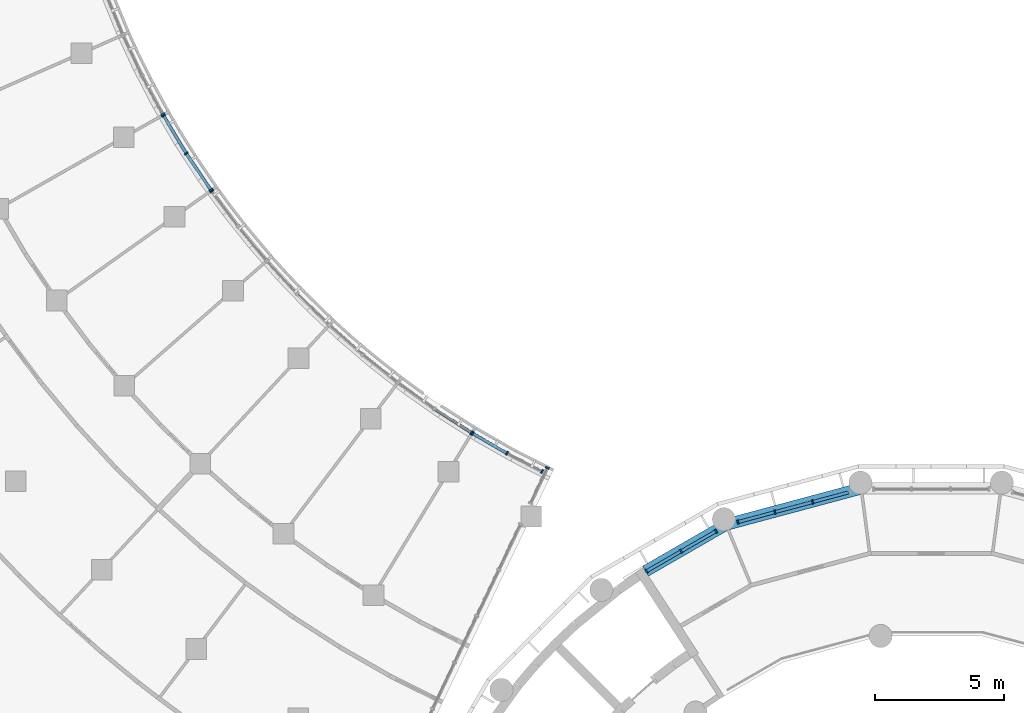
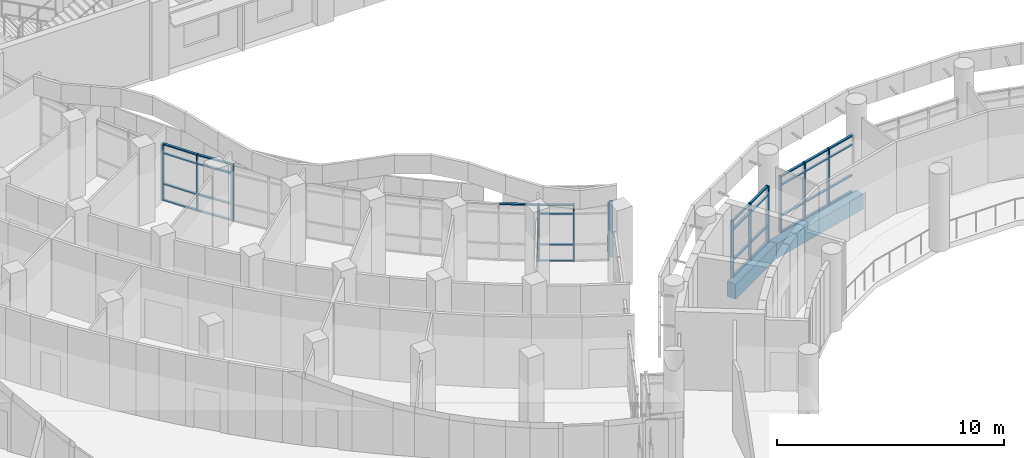
# One storey, part 22 of 109: 49 members, 2 beams, 8 elements without a shape of their own.
"""IFC4 building model written with IfcOpenShell, lengths in metres."""

import ifcopenshell
import ifcopenshell.guid

model = None  # the IFC model being written
_history = None  # IfcOwnerHistory: only IFC2X3 demands one
_inside = {}  # id of a spatial element -> (the spatial element, [elements in it])
_under = {}  # id of a project, library or spatial element -> (it, [spatial elements below it])
_declared = {}  # id of a project -> (the project, [libraries it declares])
_typed = {}  # id of a type object -> (the type object, [elements of that type])
_made_of = {}  # id of a material, layer set ... -> (it, [elements and type objects made of it])


def new_model(schema):
    """Start an empty IFC model of exactly this schema.

    Asked for "IFC4X3", IfcOpenShell would pick the latest addendum, in which some entities
    have other attributes; the version numbers below select the first issue.
    IFC2X3 requires an IfcOwnerHistory on every rooted entity: one is made here for all.
    """
    global model, _history
    if schema == "IFC4X3":
        model = ifcopenshell.file(schema_version=(4, 3, 0, 0))
    else:
        model = ifcopenshell.file(schema=schema)
    _inside.clear()
    _under.clear()
    _declared.clear()
    _typed.clear()
    _made_of.clear()
    _history = None
    if model.schema == "IFC2X3":
        org = make("IfcOrganization", Name="unknown")
        user = make(
            "IfcPersonAndOrganization",
            ThePerson=make("IfcPerson", FamilyName="unknown"),
            TheOrganization=org,
        )
        app = make(
            "IfcApplication",
            ApplicationDeveloper=org,
            Version="unknown",
            ApplicationFullName="unknown",
            ApplicationIdentifier="unknown",
        )
        _history = make(
            "IfcOwnerHistory",
            OwningUser=user,
            OwningApplication=app,
            ChangeAction="ADDED",
            CreationDate=0,
        )
    return model


def make(cls, **values):
    """One entity of the class cls with the attributes given. An attribute that is None is left unset."""
    return model.create_entity(
        cls, **{name: value for name, value in values.items() if value is not None}
    )


def rooted(cls, **values):
    """An entity with a GlobalId (a new one), such as an element, a storey or a relation."""
    return make(cls, GlobalId=ifcopenshell.guid.new(), OwnerHistory=_history, **values)


def si_unit(unit_type, name, prefix=None):
    """IfcSIUnit, for example si_unit("LENGTHUNIT", "METRE", prefix="MILLI")."""
    return make("IfcSIUnit", UnitType=unit_type, Prefix=prefix, Name=name)


def assignment(units):
    """IfcUnitAssignment: the units of a project."""
    return None if units is None else make("IfcUnitAssignment", Units=units)


def point(xyz):
    """IfcCartesianPoint."""
    return None if xyz is None else make("IfcCartesianPoint", Coordinates=xyz)


def direction(xyz):
    """IfcDirection."""
    return None if xyz is None else make("IfcDirection", DirectionRatios=xyz)


def frame(location, z_axis=None, x_axis=None):
    """IfcAxis2Placement3D, a coordinate frame: its origin and axes. An axis left out is left unset."""
    return make(
        "IfcAxis2Placement3D",
        Location=point(location),
        Axis=direction(z_axis),
        RefDirection=direction(x_axis),
    )


def frame_2d(location, x_axis=None):
    """IfcAxis2Placement2D, a coordinate frame in the plane: its origin and x axis."""
    return make(
        "IfcAxis2Placement2D", Location=point(location), RefDirection=direction(x_axis)
    )


def origin():
    """The frame at (0, 0, 0) with its axes left unset."""
    return frame((0.0, 0.0, 0.0))


def origin_2d():
    """The frame at (0, 0) in the plane with its x axis left unset."""
    return frame_2d((0.0, 0.0))


def place(relative_to, where):
    """IfcLocalPlacement: puts the frame where relative to a parent placement (None: the world)."""
    return make(
        "IfcLocalPlacement", PlacementRelTo=relative_to, RelativePlacement=where
    )


def context(
    kind, dimensions, precision=None, world=None, true_north=None, identifier=None
):
    """IfcGeometricRepresentationContext, for example the 3D "Model" context."""
    return make(
        "IfcGeometricRepresentationContext",
        ContextIdentifier=identifier,
        ContextType=kind,
        CoordinateSpaceDimension=dimensions,
        Precision=precision,
        WorldCoordinateSystem=world,
        TrueNorth=true_north,
    )


def subcontext(parent, identifier, kind, view, scale=None):
    """IfcGeometricRepresentationSubContext, for example "Body" below "Model"."""
    return make(
        "IfcGeometricRepresentationSubContext",
        ContextIdentifier=identifier,
        ContextType=kind,
        ParentContext=parent,
        TargetScale=scale,
        TargetView=view,
    )


def project(units=None, contexts=None):
    """IfcProject with its units and contexts."""
    return rooted(
        "IfcProject",
        Name="project",
        RepresentationContexts=contexts,
        UnitsInContext=assignment(units),
    )


def spatial(cls, under=None, at=None, **own):
    """A site, building, storey or space (cls), placed at a placement, below another one or the project."""
    s = rooted(cls, ObjectPlacement=at, **own)
    if under is not None:
        _under.setdefault(under.id(), (under, []))[1].append(s)
    return s


def profile(cls, at=None, kind="AREA", **sizes):
    """A parametric profile (cls). Its sizes go by their IFC names, for example OverallWidth=200.0."""
    return make(cls, ProfileType=kind, Position=at, **sizes)


def rectangle(**sizes):
    """IfcRectangleProfileDef."""
    return profile("IfcRectangleProfileDef", **sizes)


def extrude(swept, where, along, depth):
    """IfcExtrudedAreaSolid: the profile swept, set in the frame where, extruded along a direction by depth."""
    return make(
        "IfcExtrudedAreaSolid",
        SweptArea=swept,
        Position=where,
        ExtrudedDirection=direction(along),
        Depth=depth,
    )


def shape(context_of_items, identifier, shape_type, items):
    """IfcShapeRepresentation: the items that make up one representation, for example the "Body"."""
    return make(
        "IfcShapeRepresentation",
        ContextOfItems=context_of_items,
        RepresentationIdentifier=identifier,
        RepresentationType=shape_type,
        Items=items,
    )


def material(Name=None, Category=None):
    """IfcMaterial."""
    return make("IfcMaterial", Name=Name, Category=Category)


def material_profile(
    of_material, cross_section, Name=None, Category=None, Priority=None
):
    """IfcMaterialProfile: a cross section and its material."""
    return make(
        "IfcMaterialProfile",
        Name=Name,
        Material=of_material,
        Profile=cross_section,
        Priority=Priority,
        Category=Category,
    )


def profile_set(profiles, Name=None, composite=None):
    """IfcMaterialProfileSet."""
    return make(
        "IfcMaterialProfileSet",
        Name=Name,
        MaterialProfiles=profiles,
        CompositeProfile=composite,
    )


def made_of(thing, what):
    """Note that an element or type object is made of a material, layer set ...; save() writes the relation."""
    if what is not None:
        _made_of.setdefault(what.id(), (what, []))[1].append(thing)
    return thing


def type_object(cls, material=None, **own):
    """A type object (cls), such as IfcWallType, which elements share."""
    return made_of(rooted(cls, **own), material)


def element(
    cls,
    number,
    at=None,
    inside=None,
    cuts=None,
    type_object=None,
    material=None,
    context=None,
    identifier="Body",
    shape_type=None,
    held_by="IfcProductDefinitionShape",
    body=None,
    shapes=None,
    **own,
):
    """One element of the class cls, such as IfcWall. Its Tag is "e" and its number.

    at: its placement. inside: the storey or other place that contains it. cuts: it is an
    opening in that element (IfcRelVoidsElement). A single representation is given by context,
    identifier, shape_type and body (its items); several are given by shapes. held_by: the class
    of the entity that holds the representations. save() writes the other relations.
    """
    e = rooted(cls, Tag="e%d" % number, ObjectPlacement=at, **own)
    if body is not None:
        shapes = [shape(context, identifier, shape_type, body)]
    if shapes is not None:
        e.Representation = make(held_by, Representations=shapes)
    if inside is not None:
        _inside.setdefault(inside.id(), (inside, []))[1].append(e)
    if cuts is not None:
        rooted(
            "IfcRelVoidsElement", RelatingBuildingElement=cuts, RelatedOpeningElement=e
        )
    if type_object is not None:
        _typed.setdefault(type_object.id(), (type_object, []))[1].append(e)
    return made_of(e, material)


def aggregate(whole, parts):
    """IfcRelAggregates: a whole, such as a stair, and the parts it consists of."""
    return rooted("IfcRelAggregates", RelatingObject=whole, RelatedObjects=parts)


def save(model, path):
    """Write the relations noted so far, then the file.

    IfcRelAggregates (storeys below a building ...), IfcRelContainedInSpatialStructure (elements
    in a storey), IfcRelDefinesByType, IfcRelAssociatesMaterial and IfcRelDeclares: one each for
    every whole, place, type object, material and project.
    """
    for whole, parts in _under.values():
        aggregate(whole, parts)
    for where, things in _inside.values():
        rooted(
            "IfcRelContainedInSpatialStructure",
            RelatedElements=things,
            RelatingStructure=where,
        )
    for kind, things in _typed.values():
        rooted("IfcRelDefinesByType", RelatedObjects=things, RelatingType=kind)
    for what, things in _made_of.values():
        rooted("IfcRelAssociatesMaterial", RelatedObjects=things, RelatingMaterial=what)
    for by, libraries in _declared.values():
        rooted("IfcRelDeclares", RelatingContext=by, RelatedDefinitions=libraries)
    model.write(path)


model = new_model("IFC4")

# Units and contexts
model_context = context("Model", 3, precision=1e-05, world=origin(), true_north=direction((0.0, 1.0)))
body_context = subcontext(model_context, "Body", "Model", "MODEL_VIEW")
ifc_project = project(units=[si_unit("LENGTHUNIT", "METRE"), si_unit("AREAUNIT", "SQUARE_METRE"), si_unit("VOLUMEUNIT", "CUBIC_METRE"), si_unit("PLANEANGLEUNIT", "RADIAN"), si_unit("MASSUNIT", "GRAM", prefix="KILO")], contexts=[model_context])

# Site, building, storey
site_placement = place(None, origin())
site = spatial("IfcSite", under=ifc_project, at=site_placement, CompositionType="ELEMENT")
building_placement = place(site_placement, origin())
building = spatial("IfcBuilding", under=site, at=building_placement, Name="Bougainvillea Quay General Hospital", CompositionType="ELEMENT")
storey_placement = place(building_placement, frame((0.0, 0.0, 12.60009765625)))
storey = spatial("IfcBuildingStorey", under=building, at=storey_placement, Name="L02", CompositionType="ELEMENT", Elevation=12.60009765625)

# Curtain wall, member
ifc_material_1 = material(Name="Aluminium curtain wall system, powder-coated glazed", Category="aluminium")
curtain_wall_type_1 = type_object("IfcCurtainWallType", Name="Unitised curtain wall CW-1580", PredefinedType="NOTDEFINED", material=ifc_material_1)
curtain_wall_1_placement = place(storey_placement, origin())
curtain_wall_1 = element("IfcCurtainWall", 1, at=curtain_wall_1_placement, inside=storey, type_object=curtain_wall_type_1, Name="CW-AE 01", PredefinedType="NOTDEFINED")
ifc_material_2 = material(Name="Aluminium mullion, powder-coated charcoal", Category="aluminium")
ifc_material_profile_1 = material_profile(ifc_material_2, rectangle(XDim=0.159912109375, YDim=0.06005859375, at=origin_2d()))
ifc_profile_set_1 = profile_set([ifc_material_profile_1], Name="Aluminium mullion, powder-coated charcoal")
member_type_1 = type_object("IfcMemberType", Name="Curtain wall mullion 160x60", PredefinedType="MULLION", material=ifc_profile_set_1)
member_1_placement = place(storey_placement, frame((94.324462890625, 95.392578125, 0.0), z_axis=(0.0, 0.0, 1.0), x_axis=(-0.902560506484, 0.430563040838, 0.0)))
member_1 = element("IfcMember", 2, at=member_1_placement, type_object=member_type_1, Name="CW-AE mullion 2", PredefinedType="MULLION", context=body_context, shape_type="SweptSolid", body=[
    extrude(rectangle(XDim=0.159912109375, YDim=0.06005859375, at=origin_2d()), origin(), (0.0, 0.0, 1.0), 3.0498046875),
])
aggregate(curtain_wall_1, [member_1])

# Curtain wall, members
curtain_wall_type_2 = type_object("IfcCurtainWallType", Name="Unitised curtain wall CW-2100", PredefinedType="NOTDEFINED", material=ifc_material_1)
curtain_wall_2_placement = place(storey_placement, origin())
curtain_wall_2 = element("IfcCurtainWall", 3, at=curtain_wall_2_placement, inside=storey, type_object=curtain_wall_type_2, Name="CW-W01 a11b0", PredefinedType="NOTDEFINED")
member_2_placement = place(storey_placement, frame((94.120361328125, 95.2490234375, 0.0), z_axis=(0.0, 0.0, 1.0), x_axis=(-0.459924477228, -0.887958036873, 0.0)))
member_2 = element("IfcMember", 4, at=member_2_placement, type_object=member_type_1, Name="CW-W01 mullion 1", PredefinedType="MULLION", context=body_context, shape_type="SweptSolid", body=[
    extrude(rectangle(XDim=0.159912109375, YDim=0.06005859375, at=origin_2d()), origin(), (0.0, 0.0, 1.0), 3.0498046875),
])
member_3_placement = place(storey_placement, frame((92.756591796875, 95.95556640625, 0.0), z_axis=(0.0, 0.0, 1.0), x_axis=(-0.480103411147, -0.877211898349, 0.0)))
member_3 = element("IfcMember", 5, at=member_3_placement, type_object=member_type_1, Name="CW-W01 mullion 2", PredefinedType="MULLION", context=body_context, shape_type="SweptSolid", body=[
    extrude(rectangle(XDim=0.159912109375, YDim=0.06005859375, at=origin_2d()), origin(), (0.0, 0.0, 1.0), 3.0498046875),
])
member_4_placement = place(storey_placement, frame((91.42626953125, 96.7236328125, 0.0), z_axis=(0.0, 0.0, 1.0), x_axis=(-0.50003140996, -0.866007268476, 0.0)))
member_4 = element("IfcMember", 6, at=member_4_placement, type_object=member_type_1, Name="CW-W01 mullion 3", PredefinedType="MULLION", context=body_context, shape_type="SweptSolid", body=[
    extrude(rectangle(XDim=0.159912109375, YDim=0.06005859375, at=origin_2d()), origin(), (0.0, 0.0, 1.0), 3.0498046875),
])

# Curtain wall, member
curtain_wall_3_placement = place(storey_placement, origin())
curtain_wall_3 = element("IfcCurtainWall", 7, at=curtain_wall_3_placement, inside=storey, type_object=curtain_wall_type_2, Name="CW-W02 a11b1", PredefinedType="NOTDEFINED")
member_5_placement = place(storey_placement, frame((91.375244140625, 96.7548828125, 0.0), z_axis=(0.0, 0.0, 1.0), x_axis=(-0.541194636325, -0.840897357359, 0.0)))
member_5 = element("IfcMember", 8, at=member_5_placement, type_object=member_type_1, Name="CW-W02 mullion 1", PredefinedType="MULLION", context=body_context, shape_type="SweptSolid", body=[
    extrude(rectangle(XDim=0.159912109375, YDim=0.06005859375, at=origin_2d()), origin(), (0.0, 0.0, 1.0), 3.0498046875),
])

curtain_wall_4_placement = place(storey_placement, origin())
curtain_wall_4 = element("IfcCurtainWall", 9, at=curtain_wall_4_placement, inside=storey, type_object=curtain_wall_type_2, Name="CW-W05 a11b4", PredefinedType="NOTDEFINED")
member_6_placement = place(storey_placement, frame((81.313720703125, 106.1162109375, 0.0), z_axis=(0.0, 0.0, 1.0), x_axis=(-0.799758007688, -0.600322520933, 0.0)))
member_6 = element("IfcMember", 10, at=member_6_placement, type_object=member_type_1, Name="CW-W05 mullion 3", PredefinedType="MULLION", context=body_context, shape_type="SweptSolid", body=[
    extrude(rectangle(XDim=0.159912109375, YDim=0.06005859375, at=origin_2d()), origin(), (0.0, 0.0, 1.0), 3.0498046875),
])
aggregate(curtain_wall_4, [member_6])

# Curtain wall, members
curtain_wall_5_placement = place(storey_placement, origin())
curtain_wall_5 = element("IfcCurtainWall", 11, at=curtain_wall_5_placement, inside=storey, type_object=curtain_wall_type_2, Name="CW-W06 a11b5", PredefinedType="NOTDEFINED")
member_7_placement = place(storey_placement, frame((81.279052734375, 106.1650390625, 0.0), z_axis=(0.0, 0.0, 1.0), x_axis=(-0.82916442806, -0.55900478642, 0.0)))
member_7 = element("IfcMember", 12, at=member_7_placement, type_object=member_type_1, Name="CW-W06 mullion 1", PredefinedType="MULLION", context=body_context, shape_type="SweptSolid", body=[
    extrude(rectangle(XDim=0.159912109375, YDim=0.06005859375, at=origin_2d()), origin(), (0.0, 0.0, 1.0), 3.0498046875),
])
member_8_placement = place(storey_placement, frame((80.32470703125, 107.580322265625, 0.0), z_axis=(0.0, 0.0, 1.0), x_axis=(-0.843072457331, -0.537799992275, 0.0)))
member_8 = element("IfcMember", 13, at=member_8_placement, type_object=member_type_1, Name="CW-W06 mullion 2", PredefinedType="MULLION", context=body_context, shape_type="SweptSolid", body=[
    extrude(rectangle(XDim=0.159912109375, YDim=0.06005859375, at=origin_2d()), origin(), (0.0, 0.0, 1.0), 3.0498046875),
])
member_9_placement = place(storey_placement, frame((79.443603515625, 109.042236328125, 0.0), z_axis=(0.0, 0.0, 1.0), x_axis=(-0.856438326455, -0.516249351553, 0.0)))
member_9 = element("IfcMember", 14, at=member_9_placement, type_object=member_type_1, Name="CW-W06 mullion 3", PredefinedType="MULLION", context=body_context, shape_type="SweptSolid", body=[
    extrude(rectangle(XDim=0.159912109375, YDim=0.06005859375, at=origin_2d()), origin(), (0.0, 0.0, 1.0), 3.0498046875),
])

# Curtain wall, member
curtain_wall_6_placement = place(storey_placement, origin())
curtain_wall_6 = element("IfcCurtainWall", 15, at=curtain_wall_6_placement, inside=storey, type_object=curtain_wall_type_2, Name="CW-W07 a11b6", PredefinedType="NOTDEFINED")
member_10_placement = place(storey_placement, frame((79.4140625, 109.094482421875, 0.0), z_axis=(0.0, 0.0, 1.0), x_axis=(-0.881509557333, -0.472166178724, 0.0)))
member_10 = element("IfcMember", 16, at=member_10_placement, type_object=member_type_1, Name="CW-W07 mullion 1", PredefinedType="MULLION", context=body_context, shape_type="SweptSolid", body=[
    extrude(rectangle(XDim=0.159912109375, YDim=0.06005859375, at=origin_2d()), origin(), (0.0, 0.0, 1.0), 3.0498046875),
])
aggregate(curtain_wall_6, [member_10])

# Curtain wall, members
curtain_wall_type_3 = type_object("IfcCurtainWallType", Name="Unitised curtain wall CW-1514", PredefinedType="NOTDEFINED", material=ifc_material_1)
curtain_wall_7_placement = place(storey_placement, origin())
curtain_wall_7 = element("IfcCurtainWall", 17, at=curtain_wall_7_placement, inside=storey, type_object=curtain_wall_type_3, Name="CW-D 00", PredefinedType="NOTDEFINED")
member_11_placement = place(storey_placement, frame((104.607421875, 94.06494140625, 0.0), z_axis=(0.0, 0.0, 1.0), x_axis=(0.258854621298, -0.965916292974, 0.0)))
member_11 = element("IfcMember", 18, at=member_11_placement, type_object=member_type_1, Name="CW-D mullion 2", PredefinedType="MULLION", context=body_context, shape_type="SweptSolid", body=[
    extrude(rectangle(XDim=0.159912109375, YDim=0.06005859375, at=origin_2d()), origin(), (0.0, 0.0, 1.0), 3.0498046875),
])
member_12_placement = place(storey_placement, frame((103.14501953125, 93.673095703125, 0.0), z_axis=(0.0, 0.0, 1.0), x_axis=(0.258854621298, -0.965916292974, 0.0)))
member_12 = element("IfcMember", 19, at=member_12_placement, type_object=member_type_1, Name="CW-D mullion 3", PredefinedType="MULLION", context=body_context, shape_type="SweptSolid", body=[
    extrude(rectangle(XDim=0.159912109375, YDim=0.06005859375, at=origin_2d()), origin(), (0.0, 0.0, 1.0), 3.0498046875),
])
member_13_placement = place(storey_placement, frame((101.711669921875, 93.2890625, 0.0), z_axis=(0.0, 0.0, 1.0), x_axis=(0.258854621298, -0.965916292974, 0.0)))
member_13 = element("IfcMember", 20, at=member_13_placement, type_object=member_type_1, Name="CW-D mullion 4", PredefinedType="MULLION", context=body_context, shape_type="SweptSolid", body=[
    extrude(rectangle(XDim=0.159912109375, YDim=0.06005859375, at=origin_2d()), origin(), (0.0, 0.0, 1.0), 3.0498046875),
])

curtain_wall_type_4 = type_object("IfcCurtainWallType", Name="Unitised curtain wall CW-1585", PredefinedType="NOTDEFINED", material=ifc_material_1)
curtain_wall_8_placement = place(storey_placement, origin())
curtain_wall_8 = element("IfcCurtainWall", 21, at=curtain_wall_8_placement, inside=storey, type_object=curtain_wall_type_4, Name="CW-D 00", PredefinedType="NOTDEFINED")
member_14_placement = place(storey_placement, frame((100.85595703125, 92.9345703125, 0.0), z_axis=(0.0, 0.0, 1.0), x_axis=(0.499964557262, -0.866045865692, 0.0)))
member_14 = element("IfcMember", 22, at=member_14_placement, type_object=member_type_1, Name="CW-D mullion 1", PredefinedType="MULLION", context=body_context, shape_type="SweptSolid", body=[
    extrude(rectangle(XDim=0.159912109375, YDim=0.06005859375, at=origin_2d()), origin(), (0.0, 0.0, 1.0), 3.0498046875),
])
member_15_placement = place(storey_placement, frame((99.50927734375, 92.156982421875, 0.0), z_axis=(0.0, 0.0, 1.0), x_axis=(0.499964557262, -0.866045865692, 0.0)))
member_15 = element("IfcMember", 23, at=member_15_placement, type_object=member_type_1, Name="CW-D mullion 2", PredefinedType="MULLION", context=body_context, shape_type="SweptSolid", body=[
    extrude(rectangle(XDim=0.159912109375, YDim=0.06005859375, at=origin_2d()), origin(), (0.0, 0.0, 1.0), 3.0498046875),
])
member_16_placement = place(storey_placement, frame((98.16259765625, 91.379638671875, 0.0), z_axis=(0.0, 0.0, 1.0), x_axis=(0.499964557262, -0.866045865692, 0.0)))
member_16 = element("IfcMember", 24, at=member_16_placement, type_object=member_type_1, Name="CW-D mullion 3", PredefinedType="MULLION", context=body_context, shape_type="SweptSolid", body=[
    extrude(rectangle(XDim=0.159912109375, YDim=0.06005859375, at=origin_2d()), origin(), (0.0, 0.0, 1.0), 3.0498046875),
])

# Member
ifc_material_3 = material(Name="Aluminium transom, powder-coated charcoal", Category="aluminium")
ifc_material_profile_2 = material_profile(ifc_material_3, rectangle(XDim=0.1201171875, YDim=0.06005859375, at=origin_2d()))
ifc_profile_set_2 = profile_set([ifc_material_profile_2], Name="Aluminium transom, powder-coated charcoal")
member_type_2 = type_object("IfcMemberType", Name="Curtain wall transom 120x60", PredefinedType="USERDEFINED", material=ifc_profile_set_2)
member_17_placement = place(storey_placement, frame((92.73046875, 95.970458984375, 0.02978515625), z_axis=(-0.865984475827, 0.500070882603, 0.0), x_axis=(-0.500070882603, -0.865984475827, 0.0)))
member_17 = element("IfcMember", 25, at=member_17_placement, type_object=member_type_2, Name="CW-W01 transom 2.1", ObjectType="TRANSOM", PredefinedType="USERDEFINED", context=body_context, shape_type="SweptSolid", body=[
    extrude(rectangle(XDim=0.1201171875, YDim=0.06005859375, at=origin_2d()), origin(), (0.0, 0.0, 1.0), 1.475830078125),
])

member_18_placement = place(storey_placement, frame((92.73046875, 95.970458984375, 0.89990234375), z_axis=(-0.865984475827, 0.500070882603, 0.0), x_axis=(-0.500070882603, -0.865984475827, 0.0)))
member_18 = element("IfcMember", 26, at=member_18_placement, type_object=member_type_2, Name="CW-W01 transom 2.2", ObjectType="TRANSOM", PredefinedType="USERDEFINED", context=body_context, shape_type="SweptSolid", body=[
    extrude(rectangle(XDim=0.1201171875, YDim=0.06005859375, at=origin_2d()), origin(), (0.0, 0.0, 1.0), 1.475830078125),
])

member_19_placement = place(storey_placement, frame((92.73046875, 95.970458984375, 2.5498046875), z_axis=(-0.865984475827, 0.500070882603, 0.0), x_axis=(-0.500070882603, -0.865984475827, 0.0)))
member_19 = element("IfcMember", 27, at=member_19_placement, type_object=member_type_2, Name="CW-W01 transom 2.3", ObjectType="TRANSOM", PredefinedType="USERDEFINED", context=body_context, shape_type="SweptSolid", body=[
    extrude(rectangle(XDim=0.1201171875, YDim=0.06005859375, at=origin_2d()), origin(), (0.0, 0.0, 1.0), 1.475830078125),
])

member_20_placement = place(storey_placement, frame((92.73046875, 95.970458984375, 3.02001953125), z_axis=(-0.865984475827, 0.500070882603, 0.0), x_axis=(-0.500070882603, -0.865984475827, 0.0)))
member_20 = element("IfcMember", 28, at=member_20_placement, type_object=member_type_2, Name="CW-W01 transom 2.4", ObjectType="TRANSOM", PredefinedType="USERDEFINED", context=body_context, shape_type="SweptSolid", body=[
    extrude(rectangle(XDim=0.1201171875, YDim=0.06005859375, at=origin_2d()), origin(), (0.0, 0.0, 1.0), 1.475830078125),
])

aggregate(curtain_wall_2, [member_2, member_3, member_4, member_17, member_18, member_19, member_20])

member_21_placement = place(storey_placement, frame((91.349853515625, 96.77099609375, 3.02001953125), z_axis=(-0.840860427207, 0.541252013352, 0.0), x_axis=(-0.541252013352, -0.840860427207, 0.0)))
member_21 = element("IfcMember", 29, at=member_21_placement, type_object=member_type_2, Name="CW-W02 transom 1.4", ObjectType="TRANSOM", PredefinedType="USERDEFINED", context=body_context, shape_type="SweptSolid", body=[
    extrude(rectangle(XDim=0.1201171875, YDim=0.06005859375, at=origin_2d()), origin(), (0.0, 0.0, 1.0), 1.646728515625),
])

aggregate(curtain_wall_3, [member_5, member_21])

member_22_placement = place(storey_placement, frame((81.26220703125, 106.18994140625, 0.02978515625), z_axis=(-0.559037395343, 0.829142442894, 0.0), x_axis=(-0.829142442894, -0.559037395343, 0.0)))
member_22 = element("IfcMember", 30, at=member_22_placement, type_object=member_type_2, Name="CW-W06 transom 1.1", ObjectType="TRANSOM", PredefinedType="USERDEFINED", context=body_context, shape_type="SweptSolid", body=[
    extrude(rectangle(XDim=0.1201171875, YDim=0.06005859375, at=origin_2d()), origin(), (0.0, 0.0, 1.0), 1.64697265625),
])

member_23_placement = place(storey_placement, frame((81.26220703125, 106.18994140625, 0.89990234375), z_axis=(-0.559037395343, 0.829142442894, 0.0), x_axis=(-0.829142442894, -0.559037395343, 0.0)))
member_23 = element("IfcMember", 31, at=member_23_placement, type_object=member_type_2, Name="CW-W06 transom 1.2", ObjectType="TRANSOM", PredefinedType="USERDEFINED", context=body_context, shape_type="SweptSolid", body=[
    extrude(rectangle(XDim=0.1201171875, YDim=0.06005859375, at=origin_2d()), origin(), (0.0, 0.0, 1.0), 1.64697265625),
])

member_24_placement = place(storey_placement, frame((81.26220703125, 106.18994140625, 2.5498046875), z_axis=(-0.559037395343, 0.829142442894, 0.0), x_axis=(-0.829142442894, -0.559037395343, 0.0)))
member_24 = element("IfcMember", 32, at=member_24_placement, type_object=member_type_2, Name="CW-W06 transom 1.3", ObjectType="TRANSOM", PredefinedType="USERDEFINED", context=body_context, shape_type="SweptSolid", body=[
    extrude(rectangle(XDim=0.1201171875, YDim=0.06005859375, at=origin_2d()), origin(), (0.0, 0.0, 1.0), 1.64697265625),
])

member_25_placement = place(storey_placement, frame((81.26220703125, 106.18994140625, 3.02001953125), z_axis=(-0.559037395343, 0.829142442894, 0.0), x_axis=(-0.829142442894, -0.559037395343, 0.0)))
member_25 = element("IfcMember", 33, at=member_25_placement, type_object=member_type_2, Name="CW-W06 transom 1.4", ObjectType="TRANSOM", PredefinedType="USERDEFINED", context=body_context, shape_type="SweptSolid", body=[
    extrude(rectangle(XDim=0.1201171875, YDim=0.06005859375, at=origin_2d()), origin(), (0.0, 0.0, 1.0), 1.64697265625),
])

member_26_placement = place(storey_placement, frame((80.309326171875, 107.606201171875, 0.02978515625), z_axis=(-0.516217069017, 0.856457785098, 0.0), x_axis=(-0.856457785098, -0.516217069017, 0.0)))
member_26 = element("IfcMember", 34, at=member_26_placement, type_object=member_type_2, Name="CW-W06 transom 2.1", ObjectType="TRANSOM", PredefinedType="USERDEFINED", context=body_context, shape_type="SweptSolid", body=[
    extrude(rectangle(XDim=0.1201171875, YDim=0.06005859375, at=origin_2d()), origin(), (0.0, 0.0, 1.0), 1.646728515625),
])

member_27_placement = place(storey_placement, frame((80.309326171875, 107.606201171875, 0.89990234375), z_axis=(-0.516217069017, 0.856457785098, 0.0), x_axis=(-0.856457785098, -0.516217069017, 0.0)))
member_27 = element("IfcMember", 35, at=member_27_placement, type_object=member_type_2, Name="CW-W06 transom 2.2", ObjectType="TRANSOM", PredefinedType="USERDEFINED", context=body_context, shape_type="SweptSolid", body=[
    extrude(rectangle(XDim=0.1201171875, YDim=0.06005859375, at=origin_2d()), origin(), (0.0, 0.0, 1.0), 1.646728515625),
])

member_28_placement = place(storey_placement, frame((80.309326171875, 107.606201171875, 2.5498046875), z_axis=(-0.516217069017, 0.856457785098, 0.0), x_axis=(-0.856457785098, -0.516217069017, 0.0)))
member_28 = element("IfcMember", 36, at=member_28_placement, type_object=member_type_2, Name="CW-W06 transom 2.3", ObjectType="TRANSOM", PredefinedType="USERDEFINED", context=body_context, shape_type="SweptSolid", body=[
    extrude(rectangle(XDim=0.1201171875, YDim=0.06005859375, at=origin_2d()), origin(), (0.0, 0.0, 1.0), 1.646728515625),
])

member_29_placement = place(storey_placement, frame((80.309326171875, 107.606201171875, 3.02001953125), z_axis=(-0.516217069017, 0.856457785098, 0.0), x_axis=(-0.856457785098, -0.516217069017, 0.0)))
member_29 = element("IfcMember", 37, at=member_29_placement, type_object=member_type_2, Name="CW-W06 transom 2.4", ObjectType="TRANSOM", PredefinedType="USERDEFINED", context=body_context, shape_type="SweptSolid", body=[
    extrude(rectangle(XDim=0.1201171875, YDim=0.06005859375, at=origin_2d()), origin(), (0.0, 0.0, 1.0), 1.646728515625),
])

aggregate(curtain_wall_5, [member_7, member_8, member_9, member_22, member_23, member_24, member_25, member_26, member_27, member_28, member_29])

member_30_placement = place(storey_placement, frame((106.01171875, 94.44140625, 0.02978515625), z_axis=(-0.965898291136, -0.258921785836, 0.0), x_axis=(0.258921785836, -0.965898291136, 0.0)))
member_30 = element("IfcMember", 38, at=member_30_placement, type_object=member_type_2, Name="CW-D transom 1.1", ObjectType="TRANSOM", PredefinedType="USERDEFINED", context=body_context, shape_type="SweptSolid", body=[
    extrude(rectangle(XDim=0.1201171875, YDim=0.06005859375, at=origin_2d()), origin(), (0.0, 0.0, 1.0), 1.423828125),
])

member_31_placement = place(storey_placement, frame((106.01171875, 94.44140625, 0.89990234375), z_axis=(-0.965898291136, -0.258921785836, 0.0), x_axis=(0.258921785836, -0.965898291136, 0.0)))
member_31 = element("IfcMember", 39, at=member_31_placement, type_object=member_type_2, Name="CW-D transom 1.2", ObjectType="TRANSOM", PredefinedType="USERDEFINED", context=body_context, shape_type="SweptSolid", body=[
    extrude(rectangle(XDim=0.1201171875, YDim=0.06005859375, at=origin_2d()), origin(), (0.0, 0.0, 1.0), 1.423828125),
])

member_32_placement = place(storey_placement, frame((106.01171875, 94.44140625, 2.5498046875), z_axis=(-0.965898291136, -0.258921785836, 0.0), x_axis=(0.258921785836, -0.965898291136, 0.0)))
member_32 = element("IfcMember", 40, at=member_32_placement, type_object=member_type_2, Name="CW-D transom 1.3", ObjectType="TRANSOM", PredefinedType="USERDEFINED", context=body_context, shape_type="SweptSolid", body=[
    extrude(rectangle(XDim=0.1201171875, YDim=0.06005859375, at=origin_2d()), origin(), (0.0, 0.0, 1.0), 1.423828125),
])

member_33_placement = place(storey_placement, frame((106.01171875, 94.44140625, 3.02001953125), z_axis=(-0.965898291136, -0.258921785836, 0.0), x_axis=(0.258921785836, -0.965898291136, 0.0)))
member_33 = element("IfcMember", 41, at=member_33_placement, type_object=member_type_2, Name="CW-D transom 1.4", ObjectType="TRANSOM", PredefinedType="USERDEFINED", context=body_context, shape_type="SweptSolid", body=[
    extrude(rectangle(XDim=0.1201171875, YDim=0.06005859375, at=origin_2d()), origin(), (0.0, 0.0, 1.0), 1.423828125),
])

member_34_placement = place(storey_placement, frame((104.578369140625, 94.05712890625, 0.02978515625), z_axis=(-0.965936059001, -0.258780853081, 0.0), x_axis=(0.258780853081, -0.965936059001, 0.0)))
member_34 = element("IfcMember", 42, at=member_34_placement, type_object=member_type_2, Name="CW-D transom 2.1", ObjectType="TRANSOM", PredefinedType="USERDEFINED", context=body_context, shape_type="SweptSolid", body=[
    extrude(rectangle(XDim=0.1201171875, YDim=0.06005859375, at=origin_2d()), origin(), (0.0, 0.0, 1.0), 1.453857421875),
])

member_35_placement = place(storey_placement, frame((104.578369140625, 94.05712890625, 0.89990234375), z_axis=(-0.965936059001, -0.258780853081, 0.0), x_axis=(0.258780853081, -0.965936059001, 0.0)))
member_35 = element("IfcMember", 43, at=member_35_placement, type_object=member_type_2, Name="CW-D transom 2.2", ObjectType="TRANSOM", PredefinedType="USERDEFINED", context=body_context, shape_type="SweptSolid", body=[
    extrude(rectangle(XDim=0.1201171875, YDim=0.06005859375, at=origin_2d()), origin(), (0.0, 0.0, 1.0), 1.453857421875),
])

member_36_placement = place(storey_placement, frame((104.578369140625, 94.05712890625, 2.5498046875), z_axis=(-0.965936059001, -0.258780853081, 0.0), x_axis=(0.258780853081, -0.965936059001, 0.0)))
member_36 = element("IfcMember", 44, at=member_36_placement, type_object=member_type_2, Name="CW-D transom 2.3", ObjectType="TRANSOM", PredefinedType="USERDEFINED", context=body_context, shape_type="SweptSolid", body=[
    extrude(rectangle(XDim=0.1201171875, YDim=0.06005859375, at=origin_2d()), origin(), (0.0, 0.0, 1.0), 1.453857421875),
])

member_37_placement = place(storey_placement, frame((104.578369140625, 94.05712890625, 3.02001953125), z_axis=(-0.965936059001, -0.258780853081, 0.0), x_axis=(0.258780853081, -0.965936059001, 0.0)))
member_37 = element("IfcMember", 45, at=member_37_placement, type_object=member_type_2, Name="CW-D transom 2.4", ObjectType="TRANSOM", PredefinedType="USERDEFINED", context=body_context, shape_type="SweptSolid", body=[
    extrude(rectangle(XDim=0.1201171875, YDim=0.06005859375, at=origin_2d()), origin(), (0.0, 0.0, 1.0), 1.453857421875),
])

member_38_placement = place(storey_placement, frame((103.115966796875, 93.665283203125, 0.02978515625), z_axis=(-0.965898291136, -0.258921785836, 0.0), x_axis=(0.258921785836, -0.965898291136, 0.0)))
member_38 = element("IfcMember", 46, at=member_38_placement, type_object=member_type_2, Name="CW-D transom 3.1", ObjectType="TRANSOM", PredefinedType="USERDEFINED", context=body_context, shape_type="SweptSolid", body=[
    extrude(rectangle(XDim=0.1201171875, YDim=0.06005859375, at=origin_2d()), origin(), (0.0, 0.0, 1.0), 1.423828125),
])

member_39_placement = place(storey_placement, frame((103.115966796875, 93.665283203125, 0.89990234375), z_axis=(-0.965898291136, -0.258921785836, 0.0), x_axis=(0.258921785836, -0.965898291136, 0.0)))
member_39 = element("IfcMember", 47, at=member_39_placement, type_object=member_type_2, Name="CW-D transom 3.2", ObjectType="TRANSOM", PredefinedType="USERDEFINED", context=body_context, shape_type="SweptSolid", body=[
    extrude(rectangle(XDim=0.1201171875, YDim=0.06005859375, at=origin_2d()), origin(), (0.0, 0.0, 1.0), 1.423828125),
])

member_40_placement = place(storey_placement, frame((103.115966796875, 93.665283203125, 2.5498046875), z_axis=(-0.965898291136, -0.258921785836, 0.0), x_axis=(0.258921785836, -0.965898291136, 0.0)))
member_40 = element("IfcMember", 48, at=member_40_placement, type_object=member_type_2, Name="CW-D transom 3.3", ObjectType="TRANSOM", PredefinedType="USERDEFINED", context=body_context, shape_type="SweptSolid", body=[
    extrude(rectangle(XDim=0.1201171875, YDim=0.06005859375, at=origin_2d()), origin(), (0.0, 0.0, 1.0), 1.423828125),
])

member_41_placement = place(storey_placement, frame((103.115966796875, 93.665283203125, 3.02001953125), z_axis=(-0.965898291136, -0.258921785836, 0.0), x_axis=(0.258921785836, -0.965898291136, 0.0)))
member_41 = element("IfcMember", 49, at=member_41_placement, type_object=member_type_2, Name="CW-D transom 3.4", ObjectType="TRANSOM", PredefinedType="USERDEFINED", context=body_context, shape_type="SweptSolid", body=[
    extrude(rectangle(XDim=0.1201171875, YDim=0.06005859375, at=origin_2d()), origin(), (0.0, 0.0, 1.0), 1.423828125),
])

aggregate(curtain_wall_7, [member_11, member_12, member_13, member_30, member_31, member_32, member_33, member_34, member_35, member_36, member_37, member_38, member_39, member_40, member_41])

member_42_placement = place(storey_placement, frame((100.830078125, 92.91943359375, 0.02978515625), z_axis=(-0.866074087889, -0.499915667175, 0.0), x_axis=(0.499915667175, -0.866074087889, 0.0)))
member_42 = element("IfcMember", 50, at=member_42_placement, type_object=member_type_2, Name="CW-D transom 1.1", ObjectType="TRANSOM", PredefinedType="USERDEFINED", context=body_context, shape_type="SweptSolid", body=[
    extrude(rectangle(XDim=0.1201171875, YDim=0.06005859375, at=origin_2d()), origin(), (0.0, 0.0, 1.0), 1.494873046875),
])

member_43_placement = place(storey_placement, frame((100.830078125, 92.91943359375, 0.89990234375), z_axis=(-0.866074087889, -0.499915667175, 0.0), x_axis=(0.499915667175, -0.866074087889, 0.0)))
member_43 = element("IfcMember", 51, at=member_43_placement, type_object=member_type_2, Name="CW-D transom 1.2", ObjectType="TRANSOM", PredefinedType="USERDEFINED", context=body_context, shape_type="SweptSolid", body=[
    extrude(rectangle(XDim=0.1201171875, YDim=0.06005859375, at=origin_2d()), origin(), (0.0, 0.0, 1.0), 1.494873046875),
])

member_44_placement = place(storey_placement, frame((100.830078125, 92.91943359375, 2.5498046875), z_axis=(-0.866074087889, -0.499915667175, 0.0), x_axis=(0.499915667175, -0.866074087889, 0.0)))
member_44 = element("IfcMember", 52, at=member_44_placement, type_object=member_type_2, Name="CW-D transom 1.3", ObjectType="TRANSOM", PredefinedType="USERDEFINED", context=body_context, shape_type="SweptSolid", body=[
    extrude(rectangle(XDim=0.1201171875, YDim=0.06005859375, at=origin_2d()), origin(), (0.0, 0.0, 1.0), 1.494873046875),
])

member_45_placement = place(storey_placement, frame((100.830078125, 92.91943359375, 3.02001953125), z_axis=(-0.866074087889, -0.499915667175, 0.0), x_axis=(0.499915667175, -0.866074087889, 0.0)))
member_45 = element("IfcMember", 53, at=member_45_placement, type_object=member_type_2, Name="CW-D transom 1.4", ObjectType="TRANSOM", PredefinedType="USERDEFINED", context=body_context, shape_type="SweptSolid", body=[
    extrude(rectangle(XDim=0.1201171875, YDim=0.06005859375, at=origin_2d()), origin(), (0.0, 0.0, 1.0), 1.494873046875),
])

member_46_placement = place(storey_placement, frame((99.4833984375, 92.14208984375, 0.02978515625), z_axis=(-0.866074087889, -0.499915667175, 0.0), x_axis=(0.499915667175, -0.866074087889, 0.0)))
member_46 = element("IfcMember", 54, at=member_46_placement, type_object=member_type_2, Name="CW-D transom 2.1", ObjectType="TRANSOM", PredefinedType="USERDEFINED", context=body_context, shape_type="SweptSolid", body=[
    extrude(rectangle(XDim=0.1201171875, YDim=0.06005859375, at=origin_2d()), origin(), (0.0, 0.0, 1.0), 1.494873046875),
])

member_47_placement = place(storey_placement, frame((99.4833984375, 92.14208984375, 0.89990234375), z_axis=(-0.866074087889, -0.499915667175, 0.0), x_axis=(0.499915667175, -0.866074087889, 0.0)))
member_47 = element("IfcMember", 55, at=member_47_placement, type_object=member_type_2, Name="CW-D transom 2.2", ObjectType="TRANSOM", PredefinedType="USERDEFINED", context=body_context, shape_type="SweptSolid", body=[
    extrude(rectangle(XDim=0.1201171875, YDim=0.06005859375, at=origin_2d()), origin(), (0.0, 0.0, 1.0), 1.494873046875),
])

member_48_placement = place(storey_placement, frame((99.4833984375, 92.14208984375, 2.5498046875), z_axis=(-0.866074087889, -0.499915667175, 0.0), x_axis=(0.499915667175, -0.866074087889, 0.0)))
member_48 = element("IfcMember", 56, at=member_48_placement, type_object=member_type_2, Name="CW-D transom 2.3", ObjectType="TRANSOM", PredefinedType="USERDEFINED", context=body_context, shape_type="SweptSolid", body=[
    extrude(rectangle(XDim=0.1201171875, YDim=0.06005859375, at=origin_2d()), origin(), (0.0, 0.0, 1.0), 1.494873046875),
])

member_49_placement = place(storey_placement, frame((99.4833984375, 92.14208984375, 3.02001953125), z_axis=(-0.866074087889, -0.499915667175, 0.0), x_axis=(0.499915667175, -0.866074087889, 0.0)))
member_49 = element("IfcMember", 57, at=member_49_placement, type_object=member_type_2, Name="CW-D transom 2.4", ObjectType="TRANSOM", PredefinedType="USERDEFINED", context=body_context, shape_type="SweptSolid", body=[
    extrude(rectangle(XDim=0.1201171875, YDim=0.06005859375, at=origin_2d()), origin(), (0.0, 0.0, 1.0), 1.494873046875),
])

aggregate(curtain_wall_8, [member_14, member_15, member_16, member_42, member_43, member_44, member_45, member_46, member_47, member_48, member_49])

# Beams
ifc_material_4 = material(Name="Concrete C40", Category="concrete")
ifc_material_profile_3 = material_profile(ifc_material_4, rectangle(XDim=0.449951171875, YDim=0.800048828125, at=origin_2d()))
ifc_profile_set_3 = profile_set([ifc_material_profile_3], Name="Concrete C40")
beam_type = type_object("IfcBeamType", Name="RC BEAM 450x800 C40", PredefinedType="BEAM", material=ifc_profile_set_3)
beam_1_placement = place(storey_placement, frame((106.517333984375, 94.602783203125, -0.7001953125), z_axis=(-0.965909681024, -0.258879292535, 0.0), x_axis=(0.258879292535, -0.965909681024, 0.0)))
element("IfcBeam", 58, at=beam_1_placement, inside=storey, type_object=beam_type, Name="Edge beam L02", PredefinedType="BEAM", context=body_context, shape_type="SweptSolid", body=[
    extrude(rectangle(XDim=0.449951171875, YDim=0.800048828125, at=origin_2d()), origin(), (0.0, 0.0, 1.0), 5.48193359375),
])
beam_2_placement = place(storey_placement, frame((101.276611328125, 93.2060546875, -0.7001953125), z_axis=(-0.866055803848, -0.499947341849, 0.0), x_axis=(0.499947341849, -0.866055803848, 0.0)))
element("IfcBeam", 59, at=beam_2_placement, inside=storey, type_object=beam_type, Name="Edge beam L02", PredefinedType="BEAM", context=body_context, shape_type="SweptSolid", body=[
    extrude(rectangle(XDim=0.449951171875, YDim=0.800048828125, at=origin_2d()), origin(), (0.0, 0.0, 1.0), 3.6337890625),
])

save(model, "model.ifc")
